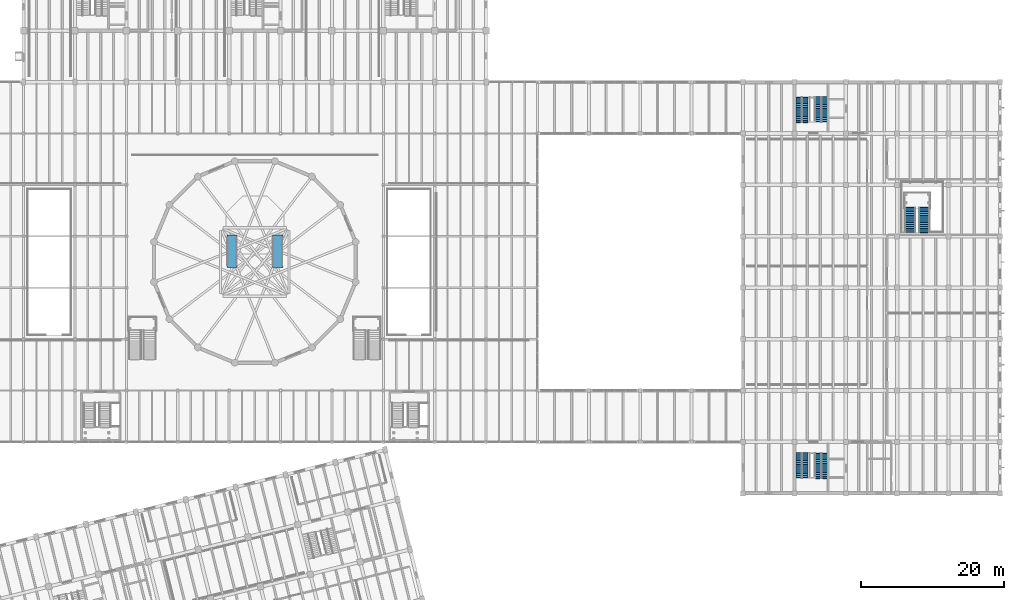
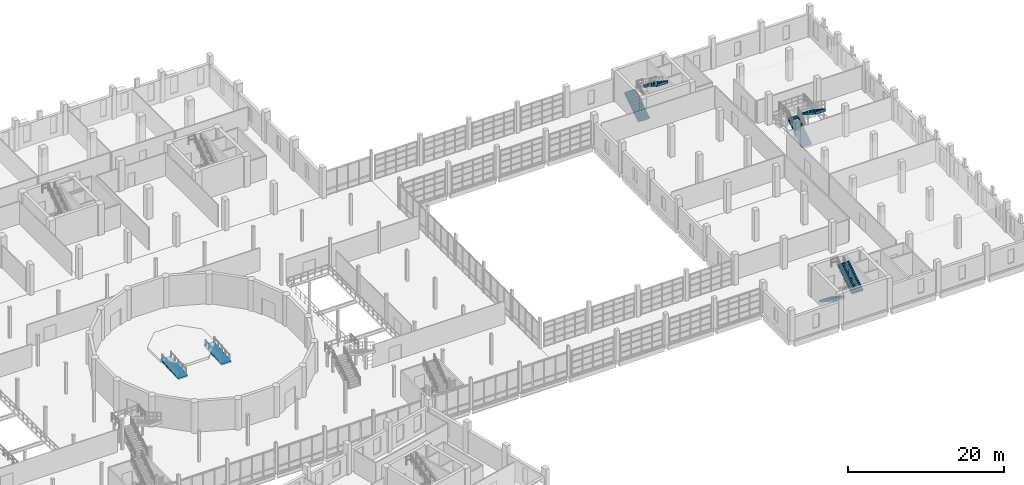
# One storey, part 73 of 77: 6 stair flights, 2 ramp flights, 5 elements without a shape of their own.
"""IFC4 building model written with IfcOpenShell, lengths in metres."""

from ifc_helpers import new_model, si_unit, direction, frame, origin, place, context, subcontext, project, spatial, polyline, outline, extrude, material, layer, layer_set, type_object, element, aggregate, save


model = new_model("IFC4")

# Units and contexts
model_context = context("Model", 3, precision=1e-05, world=origin(), true_north=direction((0.0, 1.0)))
body_context = subcontext(model_context, "Body", "Model", "MODEL_VIEW")
ifc_project = project(units=[si_unit("LENGTHUNIT", "METRE"), si_unit("AREAUNIT", "SQUARE_METRE"), si_unit("VOLUMEUNIT", "CUBIC_METRE"), si_unit("PLANEANGLEUNIT", "RADIAN"), si_unit("MASSUNIT", "GRAM", prefix="KILO")], contexts=[model_context])

# Site, building, storey
site_placement = place(None, origin())
site = spatial("IfcSite", under=ifc_project, at=site_placement, CompositionType="ELEMENT")
building_placement = place(site_placement, origin())
building = spatial("IfcBuilding", under=site, at=building_placement, Name="Qiaolan Assembly House", CompositionType="ELEMENT")
storey_placement = place(building_placement, frame((0.0, 0.0, 5.39990234375)))
storey = spatial("IfcBuildingStorey", under=building, at=storey_placement, Name="L01", CompositionType="ELEMENT", Elevation=5.39990234375)

# Stair, stair flights
ifc_material = material(Name="Concrete C40/50", Category="concrete")
stair_type_1 = type_object("IfcStairType", Name="STR-BSMT-480", PredefinedType="HALF_TURN_STAIR", material=ifc_material)
stair_1_placement = place(storey_placement, origin())
stair_1 = element("IfcStair", 1, at=stair_1_placement, inside=storey, type_object=stair_type_1, Name="ST-04 enclosed egress stair CORE-E L01", PredefinedType="HALF_TURN_STAIR")
stair_flight_type_1 = type_object("IfcStairFlightType", Name="STR-BSMT-480-FLT", PredefinedType="STRAIGHT", material=ifc_material)
stair_flight_1_placement = place(storey_placement, frame((145.050048828125, 34.409912109375, 0.0), z_axis=(0.0, 0.0, 1.0), x_axis=(0.0, -1.0, 0.0)))
stair_flight_1 = element("IfcStairFlight", 2, at=stair_flight_1_placement, type_object=stair_flight_type_1, Name="ST-04F stair flight FLT-CORE-E-L01-1", NumberOfRisers=14, NumberOfTreads=13, PredefinedType="STRAIGHT", RiserHeight=0.171429, TreadLength=0.26, context=body_context, shape_type="SweptSolid", body=[
    extrude(outline(polyline([(-0.10009765625, -0.1201171875), (-0.10009765625, 0.0), (0.0, 0.0), (0.0, 0.17138671875), (0.260009765625, 0.17138671875), (0.260009765625, 0.3427734375), (0.52001953125, 0.3427734375), (0.52001953125, 0.514404296875), (0.780029296875, 0.514404296875), (0.780029296875, 0.685791015625), (1.0400390625, 0.685791015625), (1.0400390625, 0.857177734375), (1.300048828125, 0.857177734375), (1.300048828125, 1.028564453125), (1.56005859375, 1.028564453125), (1.56005859375, 1.199951171875), (1.820068359375, 1.199951171875), (1.820068359375, 1.371337890625), (2.080078125, 1.371337890625), (2.080078125, 1.54296875), (2.340087890625, 1.54296875), (2.340087890625, 1.71435546875), (2.60009765625, 1.71435546875), (2.60009765625, 1.8857421875), (2.860107421875, 1.8857421875), (2.860107421875, 2.05712890625), (3.1201171875, 2.05712890625), (3.1201171875, 2.228515625), (3.3798828125, 2.228515625), (3.3798828125, 2.39990234375), (3.5, 2.39990234375), (3.5, 1.989013671875), (3.3798828125, 1.989013671875), (0.18115234375, -0.1201171875), (-0.10009765625, -0.1201171875)])), frame((0.0, 0.83984375, 0.0), z_axis=(0.0, -1.0, 0.0), x_axis=(1.0, 0.0, 0.0)), (0.0, 0.0, 1.0), 1.679931640625),
])
stair_flight_2_placement = place(storey_placement, frame((147.800048828125, 30.909912109375, 2.400146484375), z_axis=(0.0, 0.0, 1.0), x_axis=(0.0, 1.0, 0.0)))
stair_flight_2 = element("IfcStairFlight", 3, at=stair_flight_2_placement, type_object=stair_flight_type_1, Name="ST-04F stair flight FLT-CORE-E-L01-2", NumberOfRisers=14, NumberOfTreads=13, PredefinedType="STRAIGHT", RiserHeight=0.171429, TreadLength=0.26, context=body_context, shape_type="SweptSolid", body=[
    extrude(outline(polyline([(-0.10009765625, -0.1201171875), (-0.10009765625, 0.0), (0.0, 0.0), (0.0, 0.17138671875), (0.260009765625, 0.17138671875), (0.260009765625, 0.3427734375), (0.52001953125, 0.3427734375), (0.52001953125, 0.514404296875), (0.780029296875, 0.514404296875), (0.780029296875, 0.685791015625), (1.0400390625, 0.685791015625), (1.0400390625, 0.857177734375), (1.300048828125, 0.857177734375), (1.300048828125, 1.028564453125), (1.56005859375, 1.028564453125), (1.56005859375, 1.199951171875), (1.820068359375, 1.199951171875), (1.820068359375, 1.371337890625), (2.080078125, 1.371337890625), (2.080078125, 1.54296875), (2.340087890625, 1.54296875), (2.340087890625, 1.71435546875), (2.60009765625, 1.71435546875), (2.60009765625, 1.8857421875), (2.860107421875, 1.8857421875), (2.860107421875, 2.05712890625), (3.1201171875, 2.05712890625), (3.1201171875, 2.228515625), (3.3798828125, 2.228515625), (3.3798828125, 2.39990234375), (3.5, 2.39990234375), (3.5, 1.989013671875), (3.3798828125, 1.989013671875), (0.18115234375, -0.1201171875), (-0.10009765625, -0.1201171875)])), frame((0.0, 0.83984375, 0.0), z_axis=(0.0, -1.0, 0.0), x_axis=(1.0, 0.0, 0.0)), (0.0, 0.0, 1.0), 1.679931640625),
])
aggregate(stair_1, [stair_flight_1, stair_flight_2])

stair_2_placement = place(storey_placement, origin())
stair_2 = element("IfcStair", 4, at=stair_2_placement, inside=storey, type_object=stair_type_1, Name="ST-04 enclosed egress stair CORE-F L01", PredefinedType="HALF_TURN_STAIR")
stair_flight_3_placement = place(storey_placement, frame((145.050048828125, 80.7900390625, 0.0), z_axis=(0.0, 0.0, 1.0), x_axis=(0.0, 1.0, 0.0)))
stair_flight_3 = element("IfcStairFlight", 5, at=stair_flight_3_placement, type_object=stair_flight_type_1, Name="ST-04F stair flight FLT-CORE-F-L01-1", NumberOfRisers=14, NumberOfTreads=13, PredefinedType="STRAIGHT", RiserHeight=0.171429, TreadLength=0.26, context=body_context, shape_type="SweptSolid", body=[
    extrude(outline(polyline([(-0.10009765625, -0.1201171875), (-0.10009765625, 0.0), (0.0, 0.0), (0.0, 0.17138671875), (0.260009765625, 0.17138671875), (0.260009765625, 0.3427734375), (0.52001953125, 0.3427734375), (0.52001953125, 0.514404296875), (0.780029296875, 0.514404296875), (0.780029296875, 0.685791015625), (1.0400390625, 0.685791015625), (1.0400390625, 0.857177734375), (1.300048828125, 0.857177734375), (1.300048828125, 1.028564453125), (1.56005859375, 1.028564453125), (1.56005859375, 1.199951171875), (1.820068359375, 1.199951171875), (1.820068359375, 1.371337890625), (2.080078125, 1.371337890625), (2.080078125, 1.54296875), (2.340087890625, 1.54296875), (2.340087890625, 1.71435546875), (2.60009765625, 1.71435546875), (2.60009765625, 1.8857421875), (2.860107421875, 1.8857421875), (2.860107421875, 2.05712890625), (3.1201171875, 2.05712890625), (3.1201171875, 2.228515625), (3.3798828125, 2.228515625), (3.3798828125, 2.39990234375), (3.5, 2.39990234375), (3.5, 1.989013671875), (3.3798828125, 1.989013671875), (0.18115234375, -0.1201171875), (-0.10009765625, -0.1201171875)])), frame((0.0, 0.83984375, 0.0), z_axis=(0.0, -1.0, 0.0), x_axis=(1.0, 0.0, 0.0)), (0.0, 0.0, 1.0), 1.679931640625),
])
stair_flight_4_placement = place(storey_placement, frame((147.800048828125, 84.2900390625, 2.400146484375), z_axis=(0.0, 0.0, 1.0), x_axis=(0.0, -1.0, 0.0)))
stair_flight_4 = element("IfcStairFlight", 6, at=stair_flight_4_placement, type_object=stair_flight_type_1, Name="ST-04F stair flight FLT-CORE-F-L01-2", NumberOfRisers=14, NumberOfTreads=13, PredefinedType="STRAIGHT", RiserHeight=0.171429, TreadLength=0.26, context=body_context, shape_type="SweptSolid", body=[
    extrude(outline(polyline([(-0.10009765625, -0.1201171875), (-0.10009765625, 0.0), (0.0, 0.0), (0.0, 0.17138671875), (0.260009765625, 0.17138671875), (0.260009765625, 0.3427734375), (0.52001953125, 0.3427734375), (0.52001953125, 0.514404296875), (0.780029296875, 0.514404296875), (0.780029296875, 0.685791015625), (1.0400390625, 0.685791015625), (1.0400390625, 0.857177734375), (1.300048828125, 0.857177734375), (1.300048828125, 1.028564453125), (1.56005859375, 1.028564453125), (1.56005859375, 1.199951171875), (1.820068359375, 1.199951171875), (1.820068359375, 1.371337890625), (2.080078125, 1.371337890625), (2.080078125, 1.54296875), (2.340087890625, 1.54296875), (2.340087890625, 1.71435546875), (2.60009765625, 1.71435546875), (2.60009765625, 1.8857421875), (2.860107421875, 1.8857421875), (2.860107421875, 2.05712890625), (3.1201171875, 2.05712890625), (3.1201171875, 2.228515625), (3.3798828125, 2.228515625), (3.3798828125, 2.39990234375), (3.5, 2.39990234375), (3.5, 1.989013671875), (3.3798828125, 1.989013671875), (0.18115234375, -0.1201171875), (-0.10009765625, -0.1201171875)])), frame((0.0, 0.83984375, 0.0), z_axis=(0.0, -1.0, 0.0), x_axis=(1.0, 0.0, 0.0)), (0.0, 0.0, 1.0), 1.679931640625),
])
aggregate(stair_2, [stair_flight_3, stair_flight_4])

stair_type_2 = type_object("IfcStairType", Name="STR-LIB-READ-480", PredefinedType="HALF_TURN_STAIR", material=ifc_material)
stair_3_placement = place(storey_placement, origin())
stair_3 = element("IfcStair", 7, at=stair_3_placement, inside=storey, type_object=stair_type_2, Name="ST-12 Library Reading Well Stair ST-LB2", PredefinedType="HALF_TURN_STAIR")
stair_flight_type_2 = type_object("IfcStairFlightType", Name="STR-LIB-READ-480-FLT", PredefinedType="STRAIGHT", material=ifc_material)
stair_flight_5_placement = place(storey_placement, frame((160.199951171875, 65.39990234375, 0.0), z_axis=(0.0, 0.0, 1.0), x_axis=(0.0, 1.0, 0.0)))
stair_flight_5 = element("IfcStairFlight", 8, at=stair_flight_5_placement, type_object=stair_flight_type_2, Name="ST-12F stair flight FLT-ST-LB2-1", NumberOfRisers=14, NumberOfTreads=13, PredefinedType="STRAIGHT", RiserHeight=0.171429, TreadLength=0.26, context=body_context, shape_type="SweptSolid", body=[
    extrude(outline(polyline([(-0.10009765625, -0.1201171875), (-0.10009765625, 0.0), (0.0, 0.0), (0.0, 0.17138671875), (0.260009765625, 0.17138671875), (0.260009765625, 0.3427734375), (0.52001953125, 0.3427734375), (0.52001953125, 0.514404296875), (0.780029296875, 0.514404296875), (0.780029296875, 0.685791015625), (1.0400390625, 0.685791015625), (1.0400390625, 0.857177734375), (1.300048828125, 0.857177734375), (1.300048828125, 1.028564453125), (1.56005859375, 1.028564453125), (1.56005859375, 1.199951171875), (1.820068359375, 1.199951171875), (1.820068359375, 1.371337890625), (2.080078125, 1.371337890625), (2.080078125, 1.54296875), (2.340087890625, 1.54296875), (2.340087890625, 1.71435546875), (2.60009765625, 1.71435546875), (2.60009765625, 1.8857421875), (2.860107421875, 1.8857421875), (2.860107421875, 2.05712890625), (3.1201171875, 2.05712890625), (3.1201171875, 2.228515625), (3.3798828125, 2.228515625), (3.3798828125, 2.39990234375), (3.5, 2.39990234375), (3.5, 1.989013671875), (3.3798828125, 1.989013671875), (0.18115234375, -0.1201171875), (-0.10009765625, -0.1201171875)])), frame((0.0, 0.75, 0.0), z_axis=(0.0, -1.0, 0.0), x_axis=(1.0, 0.0, 0.0)), (0.0, 0.0, 1.0), 1.5),
])
stair_flight_6_placement = place(storey_placement, frame((162.199951171875, 68.780029296875, 2.400146484375), z_axis=(0.0, 0.0, 1.0), x_axis=(0.0, -1.0, 0.0)))
stair_flight_6 = element("IfcStairFlight", 9, at=stair_flight_6_placement, type_object=stair_flight_type_2, Name="ST-12F stair flight FLT-ST-LB2-2", NumberOfRisers=14, NumberOfTreads=13, PredefinedType="STRAIGHT", RiserHeight=0.171429, TreadLength=0.26, context=body_context, shape_type="SweptSolid", body=[
    extrude(outline(polyline([(-0.10009765625, -0.1201171875), (-0.10009765625, 0.0), (0.0, 0.0), (0.0, 0.17138671875), (0.260009765625, 0.17138671875), (0.260009765625, 0.3427734375), (0.52001953125, 0.3427734375), (0.52001953125, 0.514404296875), (0.780029296875, 0.514404296875), (0.780029296875, 0.685791015625), (1.0400390625, 0.685791015625), (1.0400390625, 0.857177734375), (1.300048828125, 0.857177734375), (1.300048828125, 1.028564453125), (1.56005859375, 1.028564453125), (1.56005859375, 1.199951171875), (1.820068359375, 1.199951171875), (1.820068359375, 1.371337890625), (2.080078125, 1.371337890625), (2.080078125, 1.54296875), (2.340087890625, 1.54296875), (2.340087890625, 1.71435546875), (2.60009765625, 1.71435546875), (2.60009765625, 1.8857421875), (2.860107421875, 1.8857421875), (2.860107421875, 2.05712890625), (3.1201171875, 2.05712890625), (3.1201171875, 2.228515625), (3.3798828125, 2.228515625), (3.3798828125, 2.39990234375), (3.5, 2.39990234375), (3.5, 1.989013671875), (3.3798828125, 1.989013671875), (0.18115234375, -0.1201171875), (-0.10009765625, -0.1201171875)])), frame((0.0, 0.75, 0.0), z_axis=(0.0, -1.0, 0.0), x_axis=(1.0, 0.0, 0.0)), (0.0, 0.0, 1.0), 1.5),
])
aggregate(stair_3, [stair_flight_5, stair_flight_6])

# Ramp, ramp flight
ramp_type = type_object("IfcRampType", Name="RMP-ACCESS-1450", PredefinedType="STRAIGHT_RUN_RAMP", material=ifc_material)
ramp_1_placement = place(storey_placement, origin())
ramp_1 = element("IfcRamp", 10, at=ramp_1_placement, inside=storey, type_object=ramp_type, Name="RM-01 Council Chamber West Rostrum Accessible Ramp (1:12)", PredefinedType="STRAIGHT_RUN_RAMP")
ifc_layer = layer(ifc_material, 0.219970703125)
ifc_layer_set = layer_set([ifc_layer], Name="Concrete C40/50")
ramp_flight_type = type_object("IfcRampFlightType", Name="RMP-ACCESS-1450-FLT", PredefinedType="STRAIGHT", material=ifc_layer_set)
ramp_flight_1_placement = place(storey_placement, frame((65.199951171875, 60.449951171875, 0.0), z_axis=(0.0, 0.0, 1.0), x_axis=(0.0, 1.0, 0.0)))
ramp_flight_1 = element("IfcRampFlight", 11, at=ramp_flight_1_placement, type_object=ramp_flight_type, Name="RM-01F ramp flight RMP-ACC-C1-1", PredefinedType="STRAIGHT", context=body_context, shape_type="SweptSolid", body=[
    extrude(outline(polyline([(0.0, -0.219970703125), (0.0, 0.0), (4.5, 0.360107421875), (4.5, 0.14013671875), (0.0, -0.219970703125)])), frame((0.0, 0.72509765625, 0.0), z_axis=(0.0, -1.0, 0.0), x_axis=(1.0, 0.0, 0.0)), (0.0, 0.0, 1.0), 1.449951171875),
])
aggregate(ramp_1, [ramp_flight_1])

ramp_2_placement = place(storey_placement, origin())
ramp_2 = element("IfcRamp", 12, at=ramp_2_placement, inside=storey, type_object=ramp_type, Name="RM-01 Council Chamber East Rostrum Accessible Ramp (1:12)", PredefinedType="STRAIGHT_RUN_RAMP")
ramp_flight_2_placement = place(storey_placement, frame((71.60009765625, 60.449951171875, 0.0), z_axis=(0.0, 0.0, 1.0), x_axis=(0.0, 1.0, 0.0)))
ramp_flight_2 = element("IfcRampFlight", 13, at=ramp_flight_2_placement, type_object=ramp_flight_type, Name="RM-01F ramp flight RMP-ACC-C2-1", PredefinedType="STRAIGHT", context=body_context, shape_type="SweptSolid", body=[
    extrude(outline(polyline([(0.0, -0.219970703125), (0.0, 0.0), (4.5, 0.360107421875), (4.5, 0.14013671875), (0.0, -0.219970703125)])), frame((0.0, 0.72509765625, 0.0), z_axis=(0.0, -1.0, 0.0), x_axis=(1.0, 0.0, 0.0)), (0.0, 0.0, 1.0), 1.449951171875),
])
aggregate(ramp_2, [ramp_flight_2])

save(model, "model.ifc")
